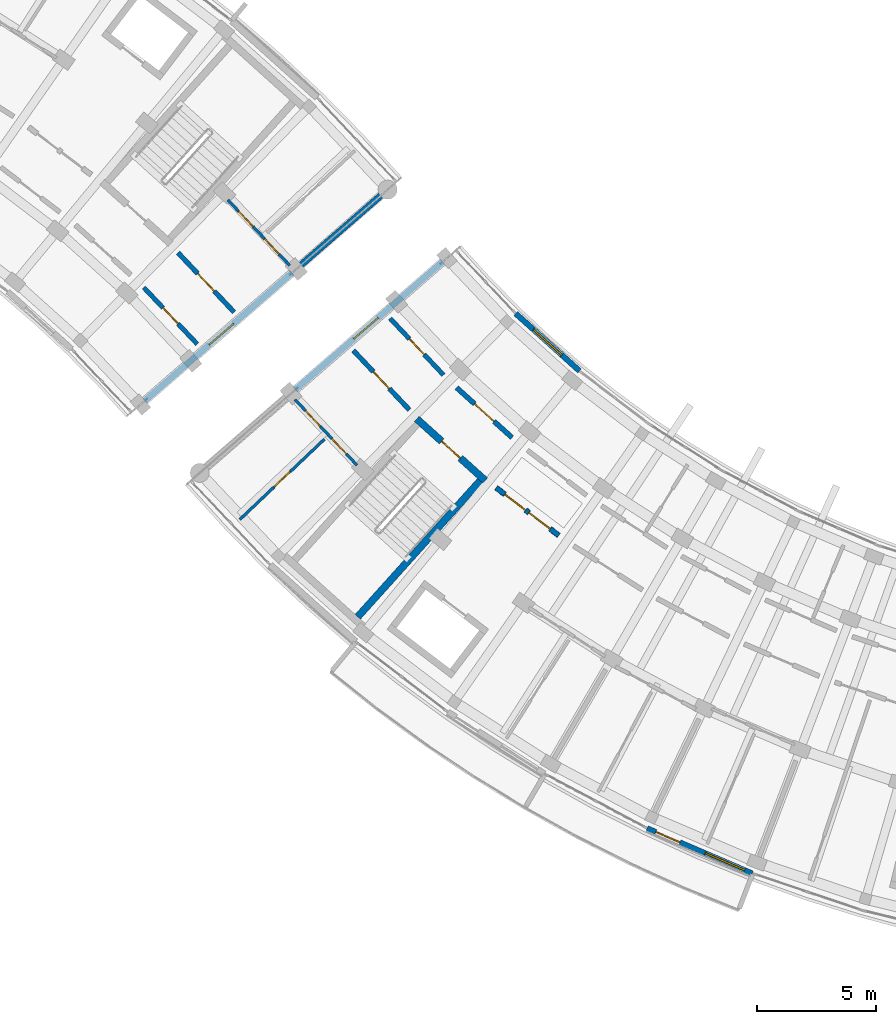
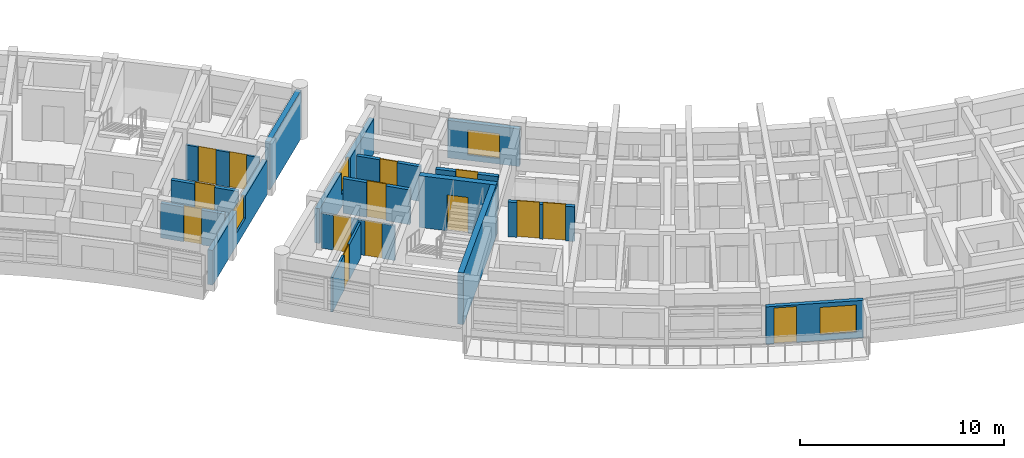
# One storey, part 33 of 55: 16 walls, 14 doors, 4 windows, 18 openings.
"""IFC4 building model written with IfcOpenShell, lengths in metres."""

import ifcopenshell
import ifcopenshell.guid

model = None  # the IFC model being written
_history = None  # IfcOwnerHistory: only IFC2X3 demands one
_inside = {}  # id of a spatial element -> (the spatial element, [elements in it])
_under = {}  # id of a project, library or spatial element -> (it, [spatial elements below it])
_declared = {}  # id of a project -> (the project, [libraries it declares])
_typed = {}  # id of a type object -> (the type object, [elements of that type])
_made_of = {}  # id of a material, layer set ... -> (it, [elements and type objects made of it])


def new_model(schema):
    """Start an empty IFC model of exactly this schema.

    Asked for "IFC4X3", IfcOpenShell would pick the latest addendum, in which some entities
    have other attributes; the version numbers below select the first issue.
    IFC2X3 requires an IfcOwnerHistory on every rooted entity: one is made here for all.
    """
    global model, _history
    if schema == "IFC4X3":
        model = ifcopenshell.file(schema_version=(4, 3, 0, 0))
    else:
        model = ifcopenshell.file(schema=schema)
    _inside.clear()
    _under.clear()
    _declared.clear()
    _typed.clear()
    _made_of.clear()
    _history = None
    if model.schema == "IFC2X3":
        org = make("IfcOrganization", Name="unknown")
        user = make(
            "IfcPersonAndOrganization",
            ThePerson=make("IfcPerson", FamilyName="unknown"),
            TheOrganization=org,
        )
        app = make(
            "IfcApplication",
            ApplicationDeveloper=org,
            Version="unknown",
            ApplicationFullName="unknown",
            ApplicationIdentifier="unknown",
        )
        _history = make(
            "IfcOwnerHistory",
            OwningUser=user,
            OwningApplication=app,
            ChangeAction="ADDED",
            CreationDate=0,
        )
    return model


def make(cls, **values):
    """One entity of the class cls with the attributes given. An attribute that is None is left unset."""
    return model.create_entity(
        cls, **{name: value for name, value in values.items() if value is not None}
    )


def rooted(cls, **values):
    """An entity with a GlobalId (a new one), such as an element, a storey or a relation."""
    return make(cls, GlobalId=ifcopenshell.guid.new(), OwnerHistory=_history, **values)


def si_unit(unit_type, name, prefix=None):
    """IfcSIUnit, for example si_unit("LENGTHUNIT", "METRE", prefix="MILLI")."""
    return make("IfcSIUnit", UnitType=unit_type, Prefix=prefix, Name=name)


def assignment(units):
    """IfcUnitAssignment: the units of a project."""
    return None if units is None else make("IfcUnitAssignment", Units=units)


def point(xyz):
    """IfcCartesianPoint."""
    return None if xyz is None else make("IfcCartesianPoint", Coordinates=xyz)


def direction(xyz):
    """IfcDirection."""
    return None if xyz is None else make("IfcDirection", DirectionRatios=xyz)


def frame(location, z_axis=None, x_axis=None):
    """IfcAxis2Placement3D, a coordinate frame: its origin and axes. An axis left out is left unset."""
    return make(
        "IfcAxis2Placement3D",
        Location=point(location),
        Axis=direction(z_axis),
        RefDirection=direction(x_axis),
    )


def frame_2d(location, x_axis=None):
    """IfcAxis2Placement2D, a coordinate frame in the plane: its origin and x axis."""
    return make(
        "IfcAxis2Placement2D", Location=point(location), RefDirection=direction(x_axis)
    )


def origin():
    """The frame at (0, 0, 0) with its axes left unset."""
    return frame((0.0, 0.0, 0.0))


def place(relative_to, where):
    """IfcLocalPlacement: puts the frame where relative to a parent placement (None: the world)."""
    return make(
        "IfcLocalPlacement", PlacementRelTo=relative_to, RelativePlacement=where
    )


def context(
    kind, dimensions, precision=None, world=None, true_north=None, identifier=None
):
    """IfcGeometricRepresentationContext, for example the 3D "Model" context."""
    return make(
        "IfcGeometricRepresentationContext",
        ContextIdentifier=identifier,
        ContextType=kind,
        CoordinateSpaceDimension=dimensions,
        Precision=precision,
        WorldCoordinateSystem=world,
        TrueNorth=true_north,
    )


def subcontext(parent, identifier, kind, view, scale=None):
    """IfcGeometricRepresentationSubContext, for example "Body" below "Model"."""
    return make(
        "IfcGeometricRepresentationSubContext",
        ContextIdentifier=identifier,
        ContextType=kind,
        ParentContext=parent,
        TargetScale=scale,
        TargetView=view,
    )


def project(units=None, contexts=None):
    """IfcProject with its units and contexts."""
    return rooted(
        "IfcProject",
        Name="project",
        RepresentationContexts=contexts,
        UnitsInContext=assignment(units),
    )


def spatial(cls, under=None, at=None, **own):
    """A site, building, storey or space (cls), placed at a placement, below another one or the project."""
    s = rooted(cls, ObjectPlacement=at, **own)
    if under is not None:
        _under.setdefault(under.id(), (under, []))[1].append(s)
    return s


def profile(cls, at=None, kind="AREA", **sizes):
    """A parametric profile (cls). Its sizes go by their IFC names, for example OverallWidth=200.0."""
    return make(cls, ProfileType=kind, Position=at, **sizes)


def rectangle(**sizes):
    """IfcRectangleProfileDef."""
    return profile("IfcRectangleProfileDef", **sizes)


def extrude(swept, where, along, depth):
    """IfcExtrudedAreaSolid: the profile swept, set in the frame where, extruded along a direction by depth."""
    return make(
        "IfcExtrudedAreaSolid",
        SweptArea=swept,
        Position=where,
        ExtrudedDirection=direction(along),
        Depth=depth,
    )


def shape(context_of_items, identifier, shape_type, items):
    """IfcShapeRepresentation: the items that make up one representation, for example the "Body"."""
    return make(
        "IfcShapeRepresentation",
        ContextOfItems=context_of_items,
        RepresentationIdentifier=identifier,
        RepresentationType=shape_type,
        Items=items,
    )


def material(Name=None, Category=None):
    """IfcMaterial."""
    return make("IfcMaterial", Name=Name, Category=Category)


def layer(
    of_material, thickness, ventilated=None, Name=None, Category=None, Priority=None
):
    """IfcMaterialLayer: one layer of a wall or slab, of a material (None: an air gap)."""
    return make(
        "IfcMaterialLayer",
        Material=of_material,
        LayerThickness=thickness,
        IsVentilated=ventilated,
        Name=Name,
        Category=Category,
        Priority=Priority,
    )


def layer_set(layers, Name=None):
    """IfcMaterialLayerSet."""
    return make("IfcMaterialLayerSet", MaterialLayers=layers, LayerSetName=Name)


def made_of(thing, what):
    """Note that an element or type object is made of a material, layer set ...; save() writes the relation."""
    if what is not None:
        _made_of.setdefault(what.id(), (what, []))[1].append(thing)
    return thing


def type_object(cls, material=None, **own):
    """A type object (cls), such as IfcWallType, which elements share."""
    return made_of(rooted(cls, **own), material)


def element(
    cls,
    number,
    at=None,
    inside=None,
    cuts=None,
    type_object=None,
    material=None,
    context=None,
    identifier="Body",
    shape_type=None,
    held_by="IfcProductDefinitionShape",
    body=None,
    shapes=None,
    **own,
):
    """One element of the class cls, such as IfcWall. Its Tag is "e" and its number.

    at: its placement. inside: the storey or other place that contains it. cuts: it is an
    opening in that element (IfcRelVoidsElement). A single representation is given by context,
    identifier, shape_type and body (its items); several are given by shapes. held_by: the class
    of the entity that holds the representations. save() writes the other relations.
    """
    e = rooted(cls, Tag="e%d" % number, ObjectPlacement=at, **own)
    if body is not None:
        shapes = [shape(context, identifier, shape_type, body)]
    if shapes is not None:
        e.Representation = make(held_by, Representations=shapes)
    if inside is not None:
        _inside.setdefault(inside.id(), (inside, []))[1].append(e)
    if cuts is not None:
        rooted(
            "IfcRelVoidsElement", RelatingBuildingElement=cuts, RelatedOpeningElement=e
        )
    if type_object is not None:
        _typed.setdefault(type_object.id(), (type_object, []))[1].append(e)
    return made_of(e, material)


def fill(opening, filler):
    """IfcRelFillsElement: the door or window that sits in an opening."""
    return rooted(
        "IfcRelFillsElement",
        RelatingOpeningElement=opening,
        RelatedBuildingElement=filler,
    )


def aggregate(whole, parts):
    """IfcRelAggregates: a whole, such as a stair, and the parts it consists of."""
    return rooted("IfcRelAggregates", RelatingObject=whole, RelatedObjects=parts)


def save(model, path):
    """Write the relations noted so far, then the file.

    IfcRelAggregates (storeys below a building ...), IfcRelContainedInSpatialStructure (elements
    in a storey), IfcRelDefinesByType, IfcRelAssociatesMaterial and IfcRelDeclares: one each for
    every whole, place, type object, material and project.
    """
    for whole, parts in _under.values():
        aggregate(whole, parts)
    for where, things in _inside.values():
        rooted(
            "IfcRelContainedInSpatialStructure",
            RelatedElements=things,
            RelatingStructure=where,
        )
    for kind, things in _typed.values():
        rooted("IfcRelDefinesByType", RelatedObjects=things, RelatingType=kind)
    for what, things in _made_of.values():
        rooted("IfcRelAssociatesMaterial", RelatedObjects=things, RelatingMaterial=what)
    for by, libraries in _declared.values():
        rooted("IfcRelDeclares", RelatingContext=by, RelatedDefinitions=libraries)
    model.write(path)


model = new_model("IFC4")

# Units and contexts
model_context = context("Model", 3, precision=1e-05, world=origin(), true_north=direction((0.0, 1.0)))
body_context = subcontext(model_context, "Body", "Model", "MODEL_VIEW")
ifc_project = project(units=[si_unit("LENGTHUNIT", "METRE"), si_unit("AREAUNIT", "SQUARE_METRE"), si_unit("VOLUMEUNIT", "CUBIC_METRE"), si_unit("PLANEANGLEUNIT", "RADIAN"), si_unit("MASSUNIT", "GRAM", prefix="KILO")], contexts=[model_context])

# Site, building, storey
site_placement = place(None, origin())
site = spatial("IfcSite", under=ifc_project, at=site_placement, CompositionType="ELEMENT")
building_placement = place(site_placement, origin())
building = spatial("IfcBuilding", under=site, at=building_placement, Name="Zimvara Arc Housing Community", CompositionType="ELEMENT")
storey_placement = place(building_placement, frame((0.0, 0.0, 14.300048828125)))
storey = spatial("IfcBuildingStorey", under=building, at=storey_placement, Name="L04", CompositionType="ELEMENT", Elevation=14.300048828125)

# Wall, opening, window
ifc_material_1 = material(Name="Board-Marked Fair-Faced Concrete C35/45", Category="concrete")
ifc_layer_1 = layer(ifc_material_1, 0.22998046875)
ifc_layer_set_1 = layer_set([ifc_layer_1], Name="Board-Marked Fair-Faced Concrete C35/45")
wall_type_1 = type_object("IfcWallType", Name="EWL-CONC-230", PredefinedType="SOLIDWALL", material=ifc_layer_set_1)
wall_1_placement = place(storey_placement, frame((94.8203125, 77.92333984375, 0.0), z_axis=(0.0, 0.0, 1.0), x_axis=(0.743385092197, -0.668863666751, 0.0)))
wall_1 = element("IfcWall", 1, at=wall_1_placement, inside=storey, type_object=wall_type_1, Name="ewall:blkC:L04:in:b1", PredefinedType="SOLIDWALL", context=body_context, shape_type="SweptSolid", body=[
    extrude(rectangle(XDim=3.603759765625, YDim=0.22998046875, at=frame_2d((1.8017578125, 0.0))), origin(), (0.0, 0.0, 1.0), 2.25),
])
opening_1_placement = place(wall_1_placement, frame((1.001708984375, 0.0, 0.320068359375)))
opening_1 = element("IfcOpeningElement", 2, at=opening_1_placement, cuts=wall_1, Name="Opening W03", PredefinedType="OPENING", context=body_context, shape_type="SweptSolid", body=[
    extrude(rectangle(XDim=1.60009765625, YDim=1.5, at=frame_2d((0.800048828125, 0.75))), frame((0.0, 0.125, 0.0), z_axis=(0.0, -1.0, 0.0), x_axis=(1.0, 0.0, 0.0)), (0.0, 0.0, 1.0), 0.25),
])
ifc_material_2 = material(Name="Solar Control Low-E Double Glazing", Category="glass")
window_type_1 = type_object("IfcWindowType", Name="WIN-RES-1600x1500", PartitioningType="DOUBLE_PANEL_VERTICAL", PredefinedType="WINDOW", material=ifc_material_2)
window_1_placement = place(opening_1_placement, origin())
window_1 = element("IfcWindow", 3, at=window_1_placement, inside=storey, type_object=window_type_1, Name="win:blkC:L04:in:b1", OverallHeight=1.5, OverallWidth=1.60009765625, PartitioningType="DOUBLE_PANEL_VERTICAL", PredefinedType="WINDOW", context=body_context, shape_type="SweptSolid", body=[
    extrude(rectangle(XDim=1.60009765625, YDim=1.5, at=frame_2d((0.800048828125, 0.75))), frame((0.0, 0.030029296875, 0.0), z_axis=(0.0, -1.0, 0.0), x_axis=(1.0, 0.0, 0.0)), (0.0, 0.0, 1.0), 0.06005859375),
])
fill(opening_1, window_1)

ifc_material_3 = material(Name="Board-Marked Fair-Faced Concrete C35/45", Category="concrete")
ifc_layer_2 = layer(ifc_material_3, 0.264892578125)
ifc_layer_set_2 = layer_set([ifc_layer_2], Name="Board-Marked Fair-Faced Concrete C35/45")
wall_type_2 = type_object("IfcWallType", Name="EWL-CONC-265", PredefinedType="SOLIDWALL", material=ifc_layer_set_2)
wall_2_placement = place(storey_placement, frame((79.233642578125, 74.2587890625, 0.0), z_axis=(0.0, 0.0, 1.0), x_axis=(0.754717680958, 0.656049710044, 0.0)))
wall_2 = element("IfcWall", 4, at=wall_2_placement, inside=storey, type_object=wall_type_2, Name="ewall:blkB:L04:gN", PredefinedType="SOLIDWALL", context=body_context, shape_type="SweptSolid", body=[
    extrude(rectangle(XDim=8.199951171875, YDim=0.264892578125, at=frame_2d((4.10009765625, 0.0))), origin(), (0.0, 0.0, 1.0), 2.079833984375),
])
opening_2_placement = place(wall_2_placement, frame((3.590087890625, 0.0, 0.75)))
opening_2 = element("IfcOpeningElement", 5, at=opening_2_placement, cuts=wall_2, Name="Opening W12", PredefinedType="OPENING", context=body_context, shape_type="SweptSolid", body=[
    extrude(rectangle(XDim=1.35009765625, YDim=1.35009765625, at=frame_2d((0.675048828125, 0.675048828125))), frame((0.0, 0.142333984375, 0.0), z_axis=(0.0, -1.0, 0.0), x_axis=(1.0, 0.0, 0.0)), (0.0, 0.0, 1.0), 0.284912109375),
])
ifc_material_4 = material(Name="Solar Control Low-E Double Glazing", Category="glass")
window_type_2 = type_object("IfcWindowType", Name="WIN-RES-1350x1350", PartitioningType="DOUBLE_PANEL_VERTICAL", PredefinedType="WINDOW", material=ifc_material_4)
window_2_placement = place(opening_2_placement, origin())
window_2 = element("IfcWindow", 6, at=window_2_placement, inside=storey, type_object=window_type_2, Name="win:blkB:L04:gN:w", OverallHeight=1.35009765625, OverallWidth=1.35009765625, PartitioningType="DOUBLE_PANEL_VERTICAL", PredefinedType="WINDOW", context=body_context, shape_type="SweptSolid", body=[
    extrude(rectangle(XDim=1.35009765625, YDim=1.35009765625, at=frame_2d((0.675048828125, 0.675048828125))), frame((0.0, 0.030029296875, 0.0), z_axis=(0.0, -1.0, 0.0), x_axis=(1.0, 0.0, 0.0)), (0.0, 0.0, 1.0), 0.06005859375),
])
fill(opening_2, window_2)

wall_3_placement = place(storey_placement, frame((91.746337890625, 80.10107421875, 0.0), z_axis=(0.0, 0.0, 1.0), x_axis=(-0.754704866158, -0.656064451862, 0.0)))
wall_3 = element("IfcWall", 7, at=wall_3_placement, inside=storey, type_object=wall_type_2, Name="ewall:blkC:L04:g0", PredefinedType="SOLIDWALL", context=body_context, shape_type="SweptSolid", body=[
    extrude(rectangle(XDim=8.199951171875, YDim=0.264892578125, at=frame_2d((4.10009765625, 0.0))), origin(), (0.0, 0.0, 1.0), 2.079833984375),
])
opening_3_placement = place(wall_3_placement, frame((3.590087890625, 0.0, 0.75)))
opening_3 = element("IfcOpeningElement", 8, at=opening_3_placement, cuts=wall_3, Name="Opening W12", PredefinedType="OPENING", context=body_context, shape_type="SweptSolid", body=[
    extrude(rectangle(XDim=1.35009765625, YDim=1.35009765625, at=frame_2d((0.675048828125, 0.675048828125))), frame((0.0, 0.142333984375, 0.0), z_axis=(0.0, -1.0, 0.0), x_axis=(1.0, 0.0, 0.0)), (0.0, 0.0, 1.0), 0.284912109375),
])
window_3_placement = place(opening_3_placement, origin())
window_3 = element("IfcWindow", 9, at=window_3_placement, inside=storey, type_object=window_type_2, Name="win:blkC:L04:g0:w", OverallHeight=1.35009765625, OverallWidth=1.35009765625, PartitioningType="DOUBLE_PANEL_VERTICAL", PredefinedType="WINDOW", context=body_context, shape_type="SweptSolid", body=[
    extrude(rectangle(XDim=1.35009765625, YDim=1.35009765625, at=frame_2d((0.675048828125, 0.675048828125))), frame((0.0, 0.030029296875, 0.0), z_axis=(0.0, -1.0, 0.0), x_axis=(1.0, 0.0, 0.0)), (0.0, 0.0, 1.0), 0.06005859375),
])
fill(opening_3, window_3)

# Wall, openings, door, window
ifc_material_5 = material(Name="Board-Marked Fair-Faced Concrete C35/45", Category="concrete")
ifc_layer_3 = layer(ifc_material_5, 0.218017578125)
ifc_layer_set_3 = layer_set([ifc_layer_3], Name="Board-Marked Fair-Faced Concrete C35/45")
wall_type_3 = type_object("IfcWallType", Name="EWL-VAR-12", PredefinedType="SOLIDWALL", material=ifc_layer_set_3)
wall_4_placement = place(storey_placement, frame((100.341064453125, 56.30126953125, 0.0), z_axis=(0.0, 0.0, 1.0), x_axis=(0.918737524932, -0.39486878869, 0.0)))
wall_4 = element("IfcWall", 10, at=wall_4_placement, inside=storey, type_object=wall_type_3, Name="ewall:blkC:L04:out:b5", PredefinedType="SOLIDWALL", context=body_context, shape_type="SweptSolid", body=[
    extrude(rectangle(XDim=4.80908203125, YDim=0.218017578125, at=frame_2d((2.404541015625, 0.0))), origin(), (0.0, 0.0, 1.0), 2.25),
])
opening_4_placement = place(wall_4_placement, frame((0.39990234375, 0.0, 0.0)))
opening_4 = element("IfcOpeningElement", 11, at=opening_4_placement, cuts=wall_4, Name="Opening ED06", PredefinedType="OPENING", context=body_context, shape_type="SweptSolid", body=[
    extrude(rectangle(XDim=1.10009765625, YDim=2.14990234375, at=frame_2d((0.550048828125, 1.074951171875))), frame((0.0, 0.118896484375, 0.0), z_axis=(0.0, -1.0, 0.0), x_axis=(1.0, 0.0, 0.0)), (0.0, 0.0, 1.0), 0.238037109375),
])
opening_5_placement = place(wall_4_placement, frame((2.658935546875, 0.0, 0.35009765625)))
opening_5 = element("IfcOpeningElement", 12, at=opening_5_placement, cuts=wall_4, Name="Opening W08", PredefinedType="OPENING", context=body_context, shape_type="SweptSolid", body=[
    extrude(rectangle(XDim=1.800048828125, YDim=1.64990234375, at=frame_2d((0.89990234375, 0.824951171875))), frame((0.0, 0.118896484375, 0.0), z_axis=(0.0, -1.0, 0.0), x_axis=(1.0, 0.0, 0.0)), (0.0, 0.0, 1.0), 0.238037109375),
])
ifc_material_6 = material(Name="Anodised Aluminium AW-6063", Category="aluminium")
door_type_1 = type_object("IfcDoorType", Name="EDR-TERR-1100x2150", OperationType="NOTDEFINED", PredefinedType="DOOR", material=ifc_material_6)
door_1_placement = place(opening_4_placement, origin())
door_1 = element("IfcDoor", 13, at=door_1_placement, inside=storey, type_object=door_type_1, Name="edoor:blkC:L04:bal_out:b5", OperationType="SINGLE_SWING_LEFT", OverallHeight=2.14990234375, OverallWidth=1.10009765625, PredefinedType="DOOR", context=body_context, shape_type="SweptSolid", body=[
    extrude(rectangle(XDim=1.10009765625, YDim=2.14990234375, at=frame_2d((0.550048828125, 1.074951171875))), frame((0.0, 0.02490234375, 0.0), z_axis=(0.0, -1.0, 0.0), x_axis=(1.0, 0.0, 0.0)), (0.0, 0.0, 1.0), 0.050048828125),
])
fill(opening_4, door_1)
ifc_material_7 = material(Name="Solar Control Low-E Double Glazing", Category="glass")
window_type_3 = type_object("IfcWindowType", Name="WIN-RES-1800x1650", PartitioningType="TRIPLE_PANEL_VERTICAL", PredefinedType="WINDOW", material=ifc_material_7)
window_4_placement = place(opening_5_placement, origin())
window_4 = element("IfcWindow", 14, at=window_4_placement, inside=storey, type_object=window_type_3, Name="win:blkC:L04:out:b5:balw", OverallHeight=1.64990234375, OverallWidth=1.800048828125, PartitioningType="TRIPLE_PANEL_VERTICAL", PredefinedType="WINDOW", context=body_context, shape_type="SweptSolid", body=[
    extrude(rectangle(XDim=1.800048828125, YDim=1.64990234375, at=frame_2d((0.89990234375, 0.824951171875))), frame((0.0, 0.030029296875, 0.0), z_axis=(0.0, -1.0, 0.0), x_axis=(1.0, 0.0, 0.0)), (0.0, 0.0, 1.0), 0.06005859375),
])
fill(opening_5, window_4)

# Wall, opening, door
ifc_material_8 = material(Name="Concrete C35/45", Category="concrete")
ifc_layer_4 = layer(ifc_material_8, 0.2099609375)
ifc_layer_set_4 = layer_set([ifc_layer_4], Name="Concrete C35/45")
wall_type_4 = type_object("IfcWallType", Name="IWL-CCF-210", PredefinedType="SOLIDWALL", material=ifc_layer_set_4)
wall_5_placement = place(storey_placement, frame((92.337158203125, 74.808349609375, 0.0), z_axis=(0.0, 0.0, 1.0), x_axis=(0.743348465558, -0.668904371904, 0.0)))
wall_5 = element("IfcWall", 15, at=wall_5_placement, inside=storey, type_object=wall_type_4, Name="iwall:blkC:L04:ccf_div:b1", PredefinedType="SOLIDWALL", context=body_context, shape_type="SweptSolid", body=[
    extrude(rectangle(XDim=3.128662109375, YDim=0.2099609375, at=frame_2d((1.564453125, 0.0))), origin(), (0.0, 0.0, 1.0), 2.079833984375),
])
opening_6_placement = place(wall_5_placement, frame((1.014404296875, 0.0, 0.0)))
opening_6 = element("IfcOpeningElement", 16, at=opening_6_placement, cuts=wall_5, Name="Opening FD-CCF1", PredefinedType="OPENING", context=body_context, shape_type="SweptSolid", body=[
    extrude(rectangle(XDim=1.10009765625, YDim=2.14990234375, at=frame_2d((0.550048828125, 1.074951171875))), frame((0.0, 0.114990234375, 0.0), z_axis=(0.0, -1.0, 0.0), x_axis=(1.0, 0.0, 0.0)), (0.0, 0.0, 1.0), 0.22998046875),
])
ifc_material_9 = material(Name="Anodised Aluminium AW-6063", Category="aluminium")
door_type_2 = type_object("IfcDoorType", Name="IDR-CCF-1100x2150", OperationType="NOTDEFINED", PredefinedType="DOOR", material=ifc_material_9)
door_2_placement = place(opening_6_placement, origin())
door_2 = element("IfcDoor", 17, at=door_2_placement, inside=storey, type_object=door_type_2, Name="idoor:blkC:L04:ccf_in:b1", OperationType="SINGLE_SWING_RIGHT", OverallHeight=2.14990234375, OverallWidth=1.10009765625, PredefinedType="DOOR", context=body_context, shape_type="SweptSolid", body=[
    extrude(rectangle(XDim=1.10009765625, YDim=2.14990234375, at=frame_2d((0.550048828125, 1.074951171875))), frame((0.0, 0.02490234375, 0.0), z_axis=(0.0, -1.0, 0.0), x_axis=(1.0, 0.0, 0.0)), (0.0, 0.0, 1.0), 0.050048828125),
])
fill(opening_6, door_2)

# Wall, openings, doors
wall_6_placement = place(storey_placement, frame((94.001220703125, 70.6015625, 0.0), z_axis=(0.0, 0.0, 1.0), x_axis=(0.795498026433, -0.605956178235, 0.0)))
wall_6 = element("IfcWall", 18, at=wall_6_placement, inside=storey, type_object=wall_type_4, Name="iwall:blkC:L04:ll_div:b2", PredefinedType="SOLIDWALL", context=body_context, shape_type="SweptSolid", body=[
    extrude(rectangle(XDim=3.296142578125, YDim=0.2099609375, at=frame_2d((1.64794921875, 0.0))), origin(), (0.0, 0.0, 1.0), 2.079833984375),
])
opening_7_placement = place(wall_6_placement, frame((0.449951171875, 0.0, 0.0)))
opening_7 = element("IfcOpeningElement", 19, at=opening_7_placement, cuts=wall_6, Name="Opening FD-CCF1", PredefinedType="OPENING", context=body_context, shape_type="SweptSolid", body=[
    extrude(rectangle(XDim=1.10009765625, YDim=2.14990234375, at=frame_2d((0.550048828125, 1.074951171875))), frame((0.0, 0.114990234375, 0.0), z_axis=(0.0, -1.0, 0.0), x_axis=(1.0, 0.0, 0.0)), (0.0, 0.0, 1.0), 0.22998046875),
])
opening_8_placement = place(wall_6_placement, frame((1.72607421875, 0.0, 0.0)))
opening_8 = element("IfcOpeningElement", 20, at=opening_8_placement, cuts=wall_6, Name="Opening D07", PredefinedType="OPENING", context=body_context, shape_type="SweptSolid", body=[
    extrude(rectangle(XDim=1.1201171875, YDim=2.14990234375, at=frame_2d((0.56005859375, 1.074951171875))), frame((0.0, 0.114990234375, 0.0), z_axis=(0.0, -1.0, 0.0), x_axis=(1.0, 0.0, 0.0)), (0.0, 0.0, 1.0), 0.22998046875),
])
ifc_material_10 = material(Name="Mozambican Hardwood", Category="wood")
door_type_3 = type_object("IfcDoorType", Name="IDR-AMN-1120x2150", OperationType="NOTDEFINED", PredefinedType="DOOR", material=ifc_material_10)
door_3_placement = place(opening_8_placement, origin())
door_3 = element("IfcDoor", 21, at=door_3_placement, inside=storey, type_object=door_type_3, Name="idoor:blkC:L04:rs_in:b2", OperationType="SINGLE_SWING_RIGHT", OverallHeight=2.14990234375, OverallWidth=1.1201171875, PredefinedType="DOOR", context=body_context, shape_type="SweptSolid", body=[
    extrude(rectangle(XDim=1.1201171875, YDim=2.14990234375, at=frame_2d((0.56005859375, 1.074951171875))), frame((0.0, 0.02490234375, 0.0), z_axis=(0.0, -1.0, 0.0), x_axis=(1.0, 0.0, 0.0)), (0.0, 0.0, 1.0), 0.050048828125),
])
fill(opening_8, door_3)
door_4_placement = place(opening_7_placement, origin())
door_4 = element("IfcDoor", 22, at=door_4_placement, inside=storey, type_object=door_type_2, Name="idoor:blkC:L04:ll_in:b2", OperationType="SINGLE_SWING_LEFT", OverallHeight=2.14990234375, OverallWidth=1.10009765625, PredefinedType="DOOR", context=body_context, shape_type="SweptSolid", body=[
    extrude(rectangle(XDim=1.10009765625, YDim=2.14990234375, at=frame_2d((0.550048828125, 1.074951171875))), frame((0.0, 0.02490234375, 0.0), z_axis=(0.0, -1.0, 0.0), x_axis=(1.0, 0.0, 0.0)), (0.0, 0.0, 1.0), 0.050048828125),
])
fill(opening_7, door_4)

# Wall, opening, door
ifc_material_11 = material(Name="Concrete C35/45", Category="concrete")
ifc_layer_5 = layer(ifc_material_11, 0.18994140625)
ifc_layer_set_5 = layer_set([ifc_layer_5], Name="Concrete C35/45")
wall_type_5 = type_object("IfcWallType", Name="IWL-CORR-190", PredefinedType="SOLIDWALL", material=ifc_layer_set_5)
wall_7_placement = place(storey_placement, frame((79.1953125, 79.016357421875, 0.0), z_axis=(0.0, 0.0, 1.0), x_axis=(0.686307658735, -0.727311348434, 0.0)))
wall_7 = element("IfcWall", 23, at=wall_7_placement, inside=storey, type_object=wall_type_5, Name="iwall:blkB:L04:corr_in:b9", PredefinedType="SOLIDWALL", context=body_context, shape_type="SweptSolid", body=[
    extrude(rectangle(XDim=3.268798828125, YDim=0.18994140625, at=frame_2d((1.63427734375, 0.0))), origin(), (0.0, 0.0, 1.0), 2.079833984375),
])
opening_9_placement = place(wall_7_placement, frame((1.17431640625, 0.0, 0.0)))
opening_9 = element("IfcOpeningElement", 24, at=opening_9_placement, cuts=wall_7, Name="Opening D02", PredefinedType="OPENING", context=body_context, shape_type="SweptSolid", body=[
    extrude(rectangle(XDim=0.919921875, YDim=2.10009765625, at=frame_2d((0.4599609375, 1.050048828125))), frame((0.0, 0.10498046875, 0.0), z_axis=(0.0, -1.0, 0.0), x_axis=(1.0, 0.0, 0.0)), (0.0, 0.0, 1.0), 0.2099609375),
])
ifc_material_12 = material(Name="Mozambican Hardwood", Category="wood")
door_type_4 = type_object("IfcDoorType", Name="IDR-RM-0920x2100", OperationType="NOTDEFINED", PredefinedType="DOOR", material=ifc_material_12)
door_5_placement = place(opening_9_placement, origin())
door_5 = element("IfcDoor", 25, at=door_5_placement, inside=storey, type_object=door_type_4, Name="idoor:blkB:L04:in_rm:b9", OperationType="SINGLE_SWING_LEFT", OverallHeight=2.10009765625, OverallWidth=0.919921875, PredefinedType="DOOR", context=body_context, shape_type="SweptSolid", body=[
    extrude(rectangle(XDim=0.919921875, YDim=2.10009765625, at=frame_2d((0.4599609375, 1.050048828125))), frame((0.0, 0.02490234375, 0.0), z_axis=(0.0, -1.0, 0.0), x_axis=(1.0, 0.0, 0.0)), (0.0, 0.0, 1.0), 0.050048828125),
])
fill(opening_9, door_5)

wall_8_placement = place(storey_placement, frame((89.541259765625, 77.720947265625, 0.0), z_axis=(0.0, 0.0, 1.0), x_axis=(0.686344941052, -0.727276166179, 0.0)))
wall_8 = element("IfcWall", 26, at=wall_8_placement, inside=storey, type_object=wall_type_5, Name="iwall:blkC:L04:corr_in:b0", PredefinedType="SOLIDWALL", context=body_context, shape_type="SweptSolid", body=[
    extrude(rectangle(XDim=3.2685546875, YDim=0.18994140625, at=frame_2d((1.63427734375, 0.0))), origin(), (0.0, 0.0, 1.0), 2.079833984375),
])
opening_10_placement = place(wall_8_placement, frame((1.184326171875, 0.0, 0.0)))
opening_10 = element("IfcOpeningElement", 27, at=opening_10_placement, cuts=wall_8, Name="Opening D01", PredefinedType="OPENING", context=body_context, shape_type="SweptSolid", body=[
    extrude(rectangle(XDim=0.89990234375, YDim=2.10009765625, at=frame_2d((0.449951171875, 1.050048828125))), frame((0.0, 0.10498046875, 0.0), z_axis=(0.0, -1.0, 0.0), x_axis=(1.0, 0.0, 0.0)), (0.0, 0.0, 1.0), 0.2099609375),
])
ifc_material_13 = material(Name="Mozambican Hardwood", Category="wood")
door_type_5 = type_object("IfcDoorType", Name="IDR-RM-0900x2100", OperationType="NOTDEFINED", PredefinedType="DOOR", material=ifc_material_13)
door_6_placement = place(opening_10_placement, origin())
door_6 = element("IfcDoor", 28, at=door_6_placement, inside=storey, type_object=door_type_5, Name="idoor:blkC:L04:in_rm:b0", OperationType="SINGLE_SWING_RIGHT", OverallHeight=2.10009765625, OverallWidth=0.89990234375, PredefinedType="DOOR", context=body_context, shape_type="SweptSolid", body=[
    extrude(rectangle(XDim=0.89990234375, YDim=2.10009765625, at=frame_2d((0.449951171875, 1.050048828125))), frame((0.0, 0.02490234375, 0.0), z_axis=(0.0, -1.0, 0.0), x_axis=(1.0, 0.0, 0.0)), (0.0, 0.0, 1.0), 0.050048828125),
])
fill(opening_10, door_6)

ifc_material_14 = material(Name="Concrete C35/45", Category="concrete")
ifc_layer_6 = layer(ifc_material_14, 0.199951171875)
ifc_layer_set_6 = layer_set([ifc_layer_6], Name="Concrete C35/45")
wall_type_6 = type_object("IfcWallType", Name="IWL-CORR-200", PredefinedType="SOLIDWALL", material=ifc_layer_set_6)
wall_9_placement = place(storey_placement, frame((80.627685546875, 80.48291015625, 0.0), z_axis=(0.0, 0.0, 1.0), x_axis=(0.686310507227, -0.727308660522, 0.0)))
wall_9 = element("IfcWall", 29, at=wall_9_placement, inside=storey, type_object=wall_type_6, Name="iwall:blkB:L04:corr_out:b9", PredefinedType="SOLIDWALL", context=body_context, shape_type="SweptSolid", body=[
    extrude(rectangle(XDim=3.43603515625, YDim=0.199951171875, at=frame_2d((1.718017578125, 0.0))), origin(), (0.0, 0.0, 1.0), 2.079833984375),
])
opening_11_placement = place(wall_9_placement, frame((1.2080078125, 0.0, 0.0)))
opening_11 = element("IfcOpeningElement", 30, at=opening_11_placement, cuts=wall_9, Name="Opening FD-FL2", PredefinedType="OPENING", context=body_context, shape_type="SweptSolid", body=[
    extrude(rectangle(XDim=1.02001953125, YDim=2.14990234375, at=frame_2d((0.510009765625, 1.074951171875))), frame((0.0, 0.10986328125, 0.0), z_axis=(0.0, -1.0, 0.0), x_axis=(1.0, 0.0, 0.0)), (0.0, 0.0, 1.0), 0.219970703125),
])
ifc_material_15 = material(Name="Mozambican Hardwood", Category="wood")
door_type_6 = type_object("IfcDoorType", Name="IDR-FLAT-1020x2150", OperationType="NOTDEFINED", PredefinedType="DOOR", material=ifc_material_15)
door_7_placement = place(opening_11_placement, origin())
door_7 = element("IfcDoor", 31, at=door_7_placement, inside=storey, type_object=door_type_6, Name="idoor:blkB:L04:flat:b9", OperationType="SINGLE_SWING_RIGHT", OverallHeight=2.14990234375, OverallWidth=1.02001953125, PredefinedType="DOOR", context=body_context, shape_type="SweptSolid", body=[
    extrude(rectangle(XDim=1.02001953125, YDim=2.14990234375, at=frame_2d((0.510009765625, 1.074951171875))), frame((0.0, 0.02490234375, 0.0), z_axis=(0.0, -1.0, 0.0), x_axis=(1.0, 0.0, 0.0)), (0.0, 0.0, 1.0), 0.050048828125),
])
fill(opening_11, door_7)

wall_10_placement = place(storey_placement, frame((87.994140625, 76.3759765625, 0.0), z_axis=(0.0, 0.0, 1.0), x_axis=(0.686310507227, -0.727308660522, 0.0)))
wall_10 = element("IfcWall", 32, at=wall_10_placement, inside=storey, type_object=wall_type_6, Name="iwall:blkC:L04:corr_out:b0", PredefinedType="SOLIDWALL", context=body_context, shape_type="SweptSolid", body=[
    extrude(rectangle(XDim=3.43603515625, YDim=0.199951171875, at=frame_2d((1.718017578125, 0.0))), origin(), (0.0, 0.0, 1.0), 2.079833984375),
])
opening_12_placement = place(wall_10_placement, frame((1.22802734375, 0.0, 0.0)))
opening_12 = element("IfcOpeningElement", 33, at=opening_12_placement, cuts=wall_10, Name="Opening FD-FL1", PredefinedType="OPENING", context=body_context, shape_type="SweptSolid", body=[
    extrude(rectangle(XDim=0.97998046875, YDim=2.14990234375, at=frame_2d((0.489990234375, 1.074951171875))), frame((0.0, 0.10986328125, 0.0), z_axis=(0.0, -1.0, 0.0), x_axis=(1.0, 0.0, 0.0)), (0.0, 0.0, 1.0), 0.219970703125),
])
ifc_material_16 = material(Name="Mozambican Hardwood", Category="wood")
door_type_7 = type_object("IfcDoorType", Name="IDR-FLAT-0980x2150", OperationType="NOTDEFINED", PredefinedType="DOOR", material=ifc_material_16)
door_8_placement = place(opening_12_placement, origin())
door_8 = element("IfcDoor", 34, at=door_8_placement, inside=storey, type_object=door_type_7, Name="idoor:blkC:L04:flat:b0", OperationType="SINGLE_SWING_LEFT", OverallHeight=2.14990234375, OverallWidth=0.97998046875, PredefinedType="DOOR", context=body_context, shape_type="SweptSolid", body=[
    extrude(rectangle(XDim=0.97998046875, YDim=2.14990234375, at=frame_2d((0.489990234375, 1.074951171875))), frame((0.0, 0.02490234375, 0.0), z_axis=(0.0, -1.0, 0.0), x_axis=(1.0, 0.0, 0.0)), (0.0, 0.0, 1.0), 0.050048828125),
])
fill(opening_12, door_8)

# Wall, openings, doors
ifc_material_17 = material(Name="Painted Acoustic Plasterboard")
ifc_layer_7 = layer(ifc_material_17, 0.1201171875)
ifc_layer_set_7 = layer_set([ifc_layer_7], Name="Painted Acoustic Plasterboard")
wall_type_7 = type_object("IfcWallType", Name="IWL-PART-120", PredefinedType="PARTITIONING", material=ifc_layer_set_7)
wall_11_placement = place(storey_placement, frame((82.72412109375, 82.701416015625, 0.0), z_axis=(0.0, 0.0, 1.0), x_axis=(0.686331812627, -0.72728855551, 0.0)))
wall_11 = element("IfcWall", 35, at=wall_11_placement, inside=storey, type_object=wall_type_7, Name="iwall:blkB:L04:srv:b9", PredefinedType="PARTITIONING", context=body_context, shape_type="SweptSolid", body=[
    extrude(rectangle(XDim=3.78515625, YDim=0.1201171875, at=frame_2d((1.892578125, 0.0))), origin(), (0.0, 0.0, 1.0), 2.079833984375),
])
opening_13_placement = place(wall_11_placement, frame((0.64990234375, 0.0, 0.0)))
opening_13 = element("IfcOpeningElement", 36, at=opening_13_placement, cuts=wall_11, Name="Opening D01", PredefinedType="OPENING", context=body_context, shape_type="SweptSolid", body=[
    extrude(rectangle(XDim=0.89990234375, YDim=2.10009765625, at=frame_2d((0.449951171875, 1.050048828125))), frame((0.0, 0.070068359375, 0.0), z_axis=(0.0, -1.0, 0.0), x_axis=(1.0, 0.0, 0.0)), (0.0, 0.0, 1.0), 0.14013671875),
])
opening_14_placement = place(wall_11_placement, frame((2.255126953125, 0.0, 0.0)))
opening_14 = element("IfcOpeningElement", 37, at=opening_14_placement, cuts=wall_11, Name="Opening D05", PredefinedType="OPENING", context=body_context, shape_type="SweptSolid", body=[
    extrude(rectangle(XDim=0.8798828125, YDim=2.10009765625, at=frame_2d((0.43994140625, 1.050048828125))), frame((0.0, 0.070068359375, 0.0), z_axis=(0.0, -1.0, 0.0), x_axis=(1.0, 0.0, 0.0)), (0.0, 0.0, 1.0), 0.14013671875),
])
door_9_placement = place(opening_13_placement, origin())
door_9 = element("IfcDoor", 38, at=door_9_placement, inside=storey, type_object=door_type_5, Name="idoor:blkB:L04:kit_liv:b9", OperationType="SINGLE_SWING_RIGHT", OverallHeight=2.10009765625, OverallWidth=0.89990234375, PredefinedType="DOOR", context=body_context, shape_type="SweptSolid", body=[
    extrude(rectangle(XDim=0.89990234375, YDim=2.10009765625, at=frame_2d((0.449951171875, 1.050048828125))), frame((0.0, 0.02490234375, 0.0), z_axis=(0.0, -1.0, 0.0), x_axis=(1.0, 0.0, 0.0)), (0.0, 0.0, 1.0), 0.050048828125),
])
fill(opening_13, door_9)
ifc_material_18 = material(Name="Mozambican Hardwood", Category="wood")
door_type_8 = type_object("IfcDoorType", Name="IDR-WC-0880x2100", OperationType="NOTDEFINED", PredefinedType="DOOR", material=ifc_material_18)
door_10_placement = place(opening_14_placement, origin())
door_10 = element("IfcDoor", 39, at=door_10_placement, inside=storey, type_object=door_type_8, Name="idoor:blkB:L04:bath_d:b9", OperationType="SINGLE_SWING_LEFT", OverallHeight=2.10009765625, OverallWidth=0.8798828125, PredefinedType="DOOR", context=body_context, shape_type="SweptSolid", body=[
    extrude(rectangle(XDim=0.8798828125, YDim=2.10009765625, at=frame_2d((0.43994140625, 1.050048828125))), frame((0.0, 0.02490234375, 0.0), z_axis=(0.0, -1.0, 0.0), x_axis=(1.0, 0.0, 0.0)), (0.0, 0.0, 1.0), 0.050048828125),
])
fill(opening_14, door_10)

wall_12_placement = place(storey_placement, frame((85.544677734375, 74.31298828125, 0.0), z_axis=(0.0, 0.0, 1.0), x_axis=(0.686332741542, -0.727287678906, 0.0)))
wall_12 = element("IfcWall", 40, at=wall_12_placement, inside=storey, type_object=wall_type_7, Name="iwall:blkC:L04:srv:b0", PredefinedType="PARTITIONING", context=body_context, shape_type="SweptSolid", body=[
    extrude(rectangle(XDim=3.79736328125, YDim=0.1201171875, at=frame_2d((1.898681640625, 0.0))), origin(), (0.0, 0.0, 1.0), 2.079833984375),
])
opening_15_placement = place(wall_12_placement, frame((0.64990234375, 0.0, 0.0)))
opening_15 = element("IfcOpeningElement", 41, at=opening_15_placement, cuts=wall_12, Name="Opening D01", PredefinedType="OPENING", context=body_context, shape_type="SweptSolid", body=[
    extrude(rectangle(XDim=0.89990234375, YDim=2.10009765625, at=frame_2d((0.449951171875, 1.050048828125))), frame((0.0, 0.070068359375, 0.0), z_axis=(0.0, -1.0, 0.0), x_axis=(1.0, 0.0, 0.0)), (0.0, 0.0, 1.0), 0.14013671875),
])
opening_16_placement = place(wall_12_placement, frame((2.267333984375, 0.0, 0.0)))
opening_16 = element("IfcOpeningElement", 42, at=opening_16_placement, cuts=wall_12, Name="Opening D05", PredefinedType="OPENING", context=body_context, shape_type="SweptSolid", body=[
    extrude(rectangle(XDim=0.8798828125, YDim=2.10009765625, at=frame_2d((0.43994140625, 1.050048828125))), frame((0.0, 0.070068359375, 0.0), z_axis=(0.0, -1.0, 0.0), x_axis=(1.0, 0.0, 0.0)), (0.0, 0.0, 1.0), 0.14013671875),
])
door_11_placement = place(opening_15_placement, origin())
door_11 = element("IfcDoor", 43, at=door_11_placement, inside=storey, type_object=door_type_5, Name="idoor:blkC:L04:kit_liv:b0", OperationType="SINGLE_SWING_LEFT", OverallHeight=2.10009765625, OverallWidth=0.89990234375, PredefinedType="DOOR", context=body_context, shape_type="SweptSolid", body=[
    extrude(rectangle(XDim=0.89990234375, YDim=2.10009765625, at=frame_2d((0.449951171875, 1.050048828125))), frame((0.0, 0.02490234375, 0.0), z_axis=(0.0, -1.0, 0.0), x_axis=(1.0, 0.0, 0.0)), (0.0, 0.0, 1.0), 0.050048828125),
])
fill(opening_15, door_11)
door_12_placement = place(opening_16_placement, origin())
door_12 = element("IfcDoor", 44, at=door_12_placement, inside=storey, type_object=door_type_8, Name="idoor:blkC:L04:bath_d:b0", OperationType="SINGLE_SWING_RIGHT", OverallHeight=2.10009765625, OverallWidth=0.8798828125, PredefinedType="DOOR", context=body_context, shape_type="SweptSolid", body=[
    extrude(rectangle(XDim=0.8798828125, YDim=2.10009765625, at=frame_2d((0.43994140625, 1.050048828125))), frame((0.0, 0.02490234375, 0.0), z_axis=(0.0, -1.0, 0.0), x_axis=(1.0, 0.0, 0.0)), (0.0, 0.0, 1.0), 0.050048828125),
])
fill(opening_16, door_12)

# Wall, opening, door
wall_13_placement = place(storey_placement, frame((86.78173828125, 72.645751953125, 0.0), z_axis=(0.0, 0.0, 1.0), x_axis=(-0.725204659953, -0.688533369694, 0.0)))
wall_13 = element("IfcWall", 45, at=wall_13_placement, inside=storey, type_object=wall_type_7, Name="iwall:blkC:L04:bed_div:b0", PredefinedType="PARTITIONING", context=body_context, shape_type="SweptSolid", body=[
    extrude(rectangle(XDim=4.89990234375, YDim=0.1201171875, at=frame_2d((2.449951171875, 0.0))), origin(), (0.0, 0.0, 1.0), 2.079833984375),
])
opening_17_placement = place(wall_13_placement, frame((1.985107421875, 0.0, 0.0)))
opening_17 = element("IfcOpeningElement", 46, at=opening_17_placement, cuts=wall_13, Name="Opening D13", PredefinedType="OPENING", context=body_context, shape_type="SweptSolid", body=[
    extrude(rectangle(XDim=0.929931640625, YDim=2.10009765625, at=frame_2d((0.46484375, 1.050048828125))), frame((0.0, 0.070068359375, 0.0), z_axis=(0.0, -1.0, 0.0), x_axis=(1.0, 0.0, 0.0)), (0.0, 0.0, 1.0), 0.14013671875),
])
ifc_material_19 = material(Name="Mozambican Hardwood", Category="wood")
door_type_9 = type_object("IfcDoorType", Name="IDR-MOD-930x2180", OperationType="NOTDEFINED", PredefinedType="DOOR", material=ifc_material_19)
door_13_placement = place(opening_17_placement, origin())
door_13 = element("IfcDoor", 47, at=door_13_placement, inside=storey, type_object=door_type_9, Name="idoor:blkC:L04:bed_d:b0", OperationType="SINGLE_SWING_LEFT", OverallHeight=2.10009765625, OverallWidth=0.929931640625, PredefinedType="DOOR", context=body_context, shape_type="SweptSolid", body=[
    extrude(rectangle(XDim=0.929931640625, YDim=2.10009765625, at=frame_2d((0.46484375, 1.050048828125))), frame((0.0, 0.02490234375, 0.0), z_axis=(0.0, -1.0, 0.0), x_axis=(1.0, 0.0, 0.0)), (0.0, 0.0, 1.0), 0.050048828125),
])
fill(opening_17, door_13)

ifc_material_20 = material(Name="Concrete C40/50", Category="concrete")
ifc_layer_8 = layer(ifc_material_20, 0.300048828125)
ifc_layer_set_8 = layer_set([ifc_layer_8], Name="Concrete C40/50")
wall_type_8 = type_object("IfcWallType", Name="WL-CORE-300", PredefinedType="SHEAR", material=ifc_layer_set_8)
wall_14_placement = place(storey_placement, frame((90.659912109375, 73.49853515625, 0.0), z_axis=(0.0, 0.0, 1.0), x_axis=(0.743375696158, -0.668874109501, 0.0)))
wall_14 = element("IfcWall", 48, at=wall_14_placement, inside=storey, type_object=wall_type_8, Name="cwall:ST-C1:L04:near", PredefinedType="SHEAR", context=body_context, shape_type="SweptSolid", body=[
    extrude(rectangle(XDim=3.8701171875, YDim=0.300048828125, at=frame_2d((1.93505859375, 0.0))), origin(), (0.0, 0.0, 1.0), 3.099853515625),
])
opening_18_placement = place(wall_14_placement, frame((1.409912109375, 0.0, 0.0)))
opening_18 = element("IfcOpeningElement", 49, at=opening_18_placement, cuts=wall_14, Name="Opening FD-ST2", PredefinedType="OPENING", context=body_context, shape_type="SweptSolid", body=[
    extrude(rectangle(XDim=1.050048828125, YDim=2.14990234375, at=frame_2d((0.52490234375, 1.074951171875))), frame((0.0, 0.159912109375, 0.0), z_axis=(0.0, -1.0, 0.0), x_axis=(1.0, 0.0, 0.0)), (0.0, 0.0, 1.0), 0.320068359375),
])
ifc_material_21 = material(Name="Anodised Aluminium AW-6063", Category="aluminium")
door_type_10 = type_object("IfcDoorType", Name="IDR-ST-1050x2150", OperationType="NOTDEFINED", PredefinedType="DOOR", material=ifc_material_21)
door_14_placement = place(opening_18_placement, origin())
door_14 = element("IfcDoor", 50, at=door_14_placement, inside=storey, type_object=door_type_10, Name="idoor:ST-C1:L04:entry", OperationType="SINGLE_SWING_RIGHT", OverallHeight=2.14990234375, OverallWidth=1.050048828125, PredefinedType="DOOR", context=body_context, shape_type="SweptSolid", body=[
    extrude(rectangle(XDim=1.050048828125, YDim=2.14990234375, at=frame_2d((0.52490234375, 1.074951171875))), frame((0.0, 0.02490234375, 0.0), z_axis=(0.0, -1.0, 0.0), x_axis=(1.0, 0.0, 0.0)), (0.0, 0.0, 1.0), 0.050048828125),
])
fill(opening_18, door_14)

# Walls
wall_15_placement = place(storey_placement, frame((93.324951171875, 70.898681640625, 0.0), z_axis=(0.0, 0.0, 1.0), x_axis=(-0.668868253964, -0.743380964808, 0.0)))
element("IfcWall", 51, at=wall_15_placement, inside=storey, type_object=wall_type_8, Name="cwall:ST-C1:L04:right", PredefinedType="SHEAR", context=body_context, shape_type="SweptSolid", body=[
    extrude(rectangle(XDim=7.68994140625, YDim=0.300048828125, at=frame_2d((3.844970703125, 0.0))), origin(), (0.0, 0.0, 1.0), 3.099853515625),
])
ifc_material_22 = material(Name="Concrete C40/50", Category="concrete")
ifc_layer_9 = layer(ifc_material_22, 0.27001953125)
ifc_layer_set_9 = layer_set([ifc_layer_9], Name="Concrete C40/50")
wall_type_9 = type_object("IfcWallType", Name="WL-SHEAR-270", PredefinedType="SHEAR", material=ifc_layer_set_9)
wall_16_placement = place(storey_placement, frame((85.7392578125, 79.9140625, 0.0), z_axis=(0.0, 0.0, 1.0), x_axis=(0.754703505217, 0.65606601742, 0.0)))
element("IfcWall", 52, at=wall_16_placement, inside=storey, type_object=wall_type_9, Name="swall:blkB:L04:east", PredefinedType="SHEAR", context=body_context, shape_type="SweptSolid", body=[
    extrude(rectangle(XDim=4.719970703125, YDim=0.27001953125, at=frame_2d((2.35986328125, 0.0))), origin(), (0.0, 0.0, 1.0), 2.85986328125),
])

save(model, "model.ifc")
